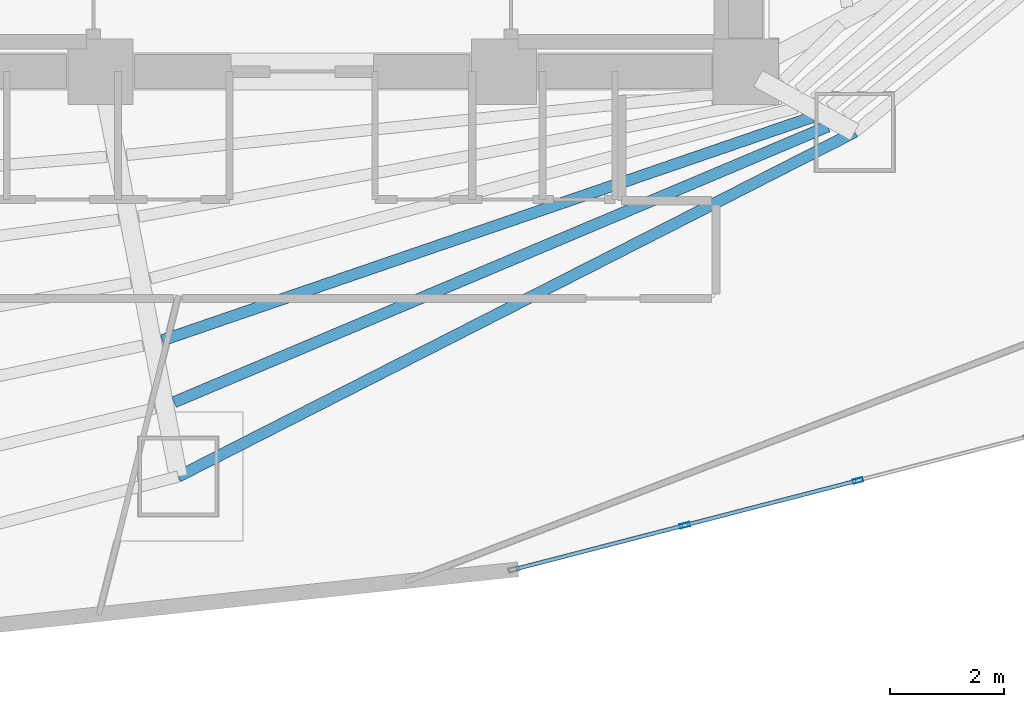
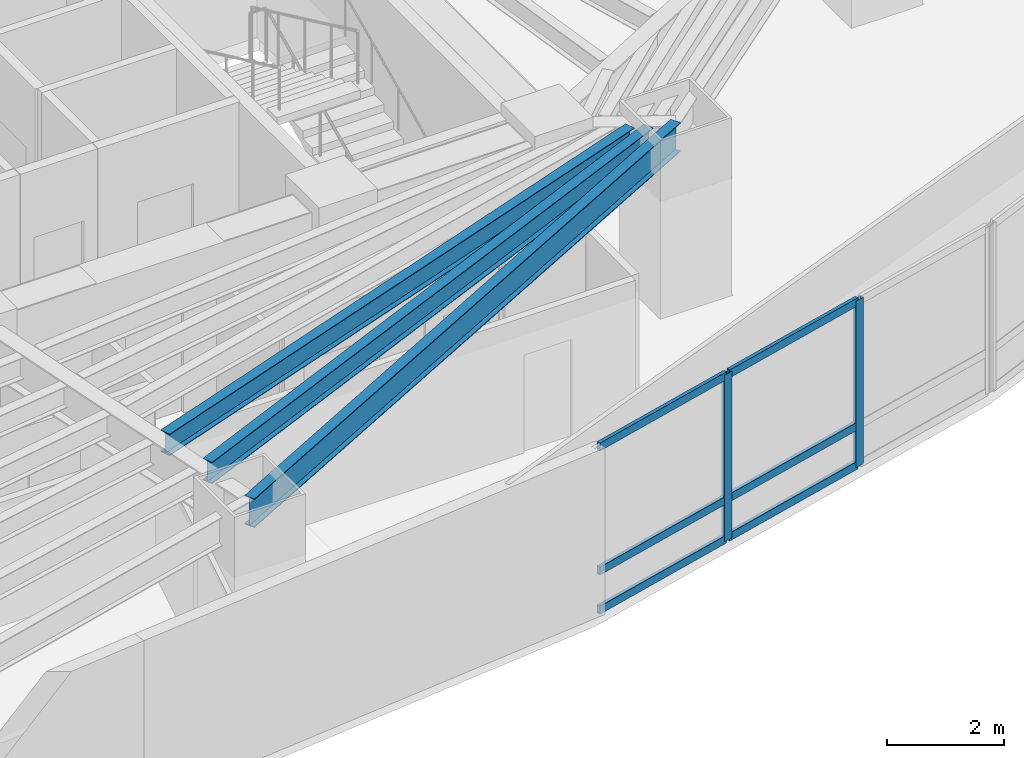
# One storey, part 5 of 20: 8 members, 3 beams, 1 element without a shape of its own.
"""IFC4 building model written with IfcOpenShell, lengths in metres."""

import ifcopenshell
import ifcopenshell.guid

model = None  # the IFC model being written
_history = None  # IfcOwnerHistory: only IFC2X3 demands one
_inside = {}  # id of a spatial element -> (the spatial element, [elements in it])
_under = {}  # id of a project, library or spatial element -> (it, [spatial elements below it])
_declared = {}  # id of a project -> (the project, [libraries it declares])
_typed = {}  # id of a type object -> (the type object, [elements of that type])
_made_of = {}  # id of a material, layer set ... -> (it, [elements and type objects made of it])


def new_model(schema):
    """Start an empty IFC model of exactly this schema.

    Asked for "IFC4X3", IfcOpenShell would pick the latest addendum, in which some entities
    have other attributes; the version numbers below select the first issue.
    IFC2X3 requires an IfcOwnerHistory on every rooted entity: one is made here for all.
    """
    global model, _history
    if schema == "IFC4X3":
        model = ifcopenshell.file(schema_version=(4, 3, 0, 0))
    else:
        model = ifcopenshell.file(schema=schema)
    _inside.clear()
    _under.clear()
    _declared.clear()
    _typed.clear()
    _made_of.clear()
    _history = None
    if model.schema == "IFC2X3":
        org = make("IfcOrganization", Name="unknown")
        user = make(
            "IfcPersonAndOrganization",
            ThePerson=make("IfcPerson", FamilyName="unknown"),
            TheOrganization=org,
        )
        app = make(
            "IfcApplication",
            ApplicationDeveloper=org,
            Version="unknown",
            ApplicationFullName="unknown",
            ApplicationIdentifier="unknown",
        )
        _history = make(
            "IfcOwnerHistory",
            OwningUser=user,
            OwningApplication=app,
            ChangeAction="ADDED",
            CreationDate=0,
        )
    return model


def make(cls, **values):
    """One entity of the class cls with the attributes given. An attribute that is None is left unset."""
    return model.create_entity(
        cls, **{name: value for name, value in values.items() if value is not None}
    )


def rooted(cls, **values):
    """An entity with a GlobalId (a new one), such as an element, a storey or a relation."""
    return make(cls, GlobalId=ifcopenshell.guid.new(), OwnerHistory=_history, **values)


def si_unit(unit_type, name, prefix=None):
    """IfcSIUnit, for example si_unit("LENGTHUNIT", "METRE", prefix="MILLI")."""
    return make("IfcSIUnit", UnitType=unit_type, Prefix=prefix, Name=name)


def assignment(units):
    """IfcUnitAssignment: the units of a project."""
    return None if units is None else make("IfcUnitAssignment", Units=units)


def point(xyz):
    """IfcCartesianPoint."""
    return None if xyz is None else make("IfcCartesianPoint", Coordinates=xyz)


def direction(xyz):
    """IfcDirection."""
    return None if xyz is None else make("IfcDirection", DirectionRatios=xyz)


def frame(location, z_axis=None, x_axis=None):
    """IfcAxis2Placement3D, a coordinate frame: its origin and axes. An axis left out is left unset."""
    return make(
        "IfcAxis2Placement3D",
        Location=point(location),
        Axis=direction(z_axis),
        RefDirection=direction(x_axis),
    )


def frame_2d(location, x_axis=None):
    """IfcAxis2Placement2D, a coordinate frame in the plane: its origin and x axis."""
    return make(
        "IfcAxis2Placement2D", Location=point(location), RefDirection=direction(x_axis)
    )


def origin():
    """The frame at (0, 0, 0) with its axes left unset."""
    return frame((0.0, 0.0, 0.0))


def origin_2d():
    """The frame at (0, 0) in the plane with its x axis left unset."""
    return frame_2d((0.0, 0.0))


def place(relative_to, where):
    """IfcLocalPlacement: puts the frame where relative to a parent placement (None: the world)."""
    return make(
        "IfcLocalPlacement", PlacementRelTo=relative_to, RelativePlacement=where
    )


def context(
    kind, dimensions, precision=None, world=None, true_north=None, identifier=None
):
    """IfcGeometricRepresentationContext, for example the 3D "Model" context."""
    return make(
        "IfcGeometricRepresentationContext",
        ContextIdentifier=identifier,
        ContextType=kind,
        CoordinateSpaceDimension=dimensions,
        Precision=precision,
        WorldCoordinateSystem=world,
        TrueNorth=true_north,
    )


def subcontext(parent, identifier, kind, view, scale=None):
    """IfcGeometricRepresentationSubContext, for example "Body" below "Model"."""
    return make(
        "IfcGeometricRepresentationSubContext",
        ContextIdentifier=identifier,
        ContextType=kind,
        ParentContext=parent,
        TargetScale=scale,
        TargetView=view,
    )


def project(units=None, contexts=None):
    """IfcProject with its units and contexts."""
    return rooted(
        "IfcProject",
        Name="project",
        RepresentationContexts=contexts,
        UnitsInContext=assignment(units),
    )


def spatial(cls, under=None, at=None, **own):
    """A site, building, storey or space (cls), placed at a placement, below another one or the project."""
    s = rooted(cls, ObjectPlacement=at, **own)
    if under is not None:
        _under.setdefault(under.id(), (under, []))[1].append(s)
    return s


def profile(cls, at=None, kind="AREA", **sizes):
    """A parametric profile (cls). Its sizes go by their IFC names, for example OverallWidth=200.0."""
    return make(cls, ProfileType=kind, Position=at, **sizes)


def hollow_rectangle(**sizes):
    """IfcRectangleHollowProfileDef."""
    return profile("IfcRectangleHollowProfileDef", **sizes)


def i_section(**sizes):
    """IfcIShapeProfileDef."""
    return profile("IfcIShapeProfileDef", **sizes)


def extrude(swept, where, along, depth):
    """IfcExtrudedAreaSolid: the profile swept, set in the frame where, extruded along a direction by depth."""
    return make(
        "IfcExtrudedAreaSolid",
        SweptArea=swept,
        Position=where,
        ExtrudedDirection=direction(along),
        Depth=depth,
    )


def shape(context_of_items, identifier, shape_type, items):
    """IfcShapeRepresentation: the items that make up one representation, for example the "Body"."""
    return make(
        "IfcShapeRepresentation",
        ContextOfItems=context_of_items,
        RepresentationIdentifier=identifier,
        RepresentationType=shape_type,
        Items=items,
    )


def material(Name=None, Category=None):
    """IfcMaterial."""
    return make("IfcMaterial", Name=Name, Category=Category)


def layer(
    of_material, thickness, ventilated=None, Name=None, Category=None, Priority=None
):
    """IfcMaterialLayer: one layer of a wall or slab, of a material (None: an air gap)."""
    return make(
        "IfcMaterialLayer",
        Material=of_material,
        LayerThickness=thickness,
        IsVentilated=ventilated,
        Name=Name,
        Category=Category,
        Priority=Priority,
    )


def layer_set(layers, Name=None):
    """IfcMaterialLayerSet."""
    return make("IfcMaterialLayerSet", MaterialLayers=layers, LayerSetName=Name)


def material_profile(
    of_material, cross_section, Name=None, Category=None, Priority=None
):
    """IfcMaterialProfile: a cross section and its material."""
    return make(
        "IfcMaterialProfile",
        Name=Name,
        Material=of_material,
        Profile=cross_section,
        Priority=Priority,
        Category=Category,
    )


def profile_set(profiles, Name=None, composite=None):
    """IfcMaterialProfileSet."""
    return make(
        "IfcMaterialProfileSet",
        Name=Name,
        MaterialProfiles=profiles,
        CompositeProfile=composite,
    )


def made_of(thing, what):
    """Note that an element or type object is made of a material, layer set ...; save() writes the relation."""
    if what is not None:
        _made_of.setdefault(what.id(), (what, []))[1].append(thing)
    return thing


def type_object(cls, material=None, **own):
    """A type object (cls), such as IfcWallType, which elements share."""
    return made_of(rooted(cls, **own), material)


def element(
    cls,
    number,
    at=None,
    inside=None,
    cuts=None,
    type_object=None,
    material=None,
    context=None,
    identifier="Body",
    shape_type=None,
    held_by="IfcProductDefinitionShape",
    body=None,
    shapes=None,
    **own,
):
    """One element of the class cls, such as IfcWall. Its Tag is "e" and its number.

    at: its placement. inside: the storey or other place that contains it. cuts: it is an
    opening in that element (IfcRelVoidsElement). A single representation is given by context,
    identifier, shape_type and body (its items); several are given by shapes. held_by: the class
    of the entity that holds the representations. save() writes the other relations.
    """
    e = rooted(cls, Tag="e%d" % number, ObjectPlacement=at, **own)
    if body is not None:
        shapes = [shape(context, identifier, shape_type, body)]
    if shapes is not None:
        e.Representation = make(held_by, Representations=shapes)
    if inside is not None:
        _inside.setdefault(inside.id(), (inside, []))[1].append(e)
    if cuts is not None:
        rooted(
            "IfcRelVoidsElement", RelatingBuildingElement=cuts, RelatedOpeningElement=e
        )
    if type_object is not None:
        _typed.setdefault(type_object.id(), (type_object, []))[1].append(e)
    return made_of(e, material)


def aggregate(whole, parts):
    """IfcRelAggregates: a whole, such as a stair, and the parts it consists of."""
    return rooted("IfcRelAggregates", RelatingObject=whole, RelatedObjects=parts)


def save(model, path):
    """Write the relations noted so far, then the file.

    IfcRelAggregates (storeys below a building ...), IfcRelContainedInSpatialStructure (elements
    in a storey), IfcRelDefinesByType, IfcRelAssociatesMaterial and IfcRelDeclares: one each for
    every whole, place, type object, material and project.
    """
    for whole, parts in _under.values():
        aggregate(whole, parts)
    for where, things in _inside.values():
        rooted(
            "IfcRelContainedInSpatialStructure",
            RelatedElements=things,
            RelatingStructure=where,
        )
    for kind, things in _typed.values():
        rooted("IfcRelDefinesByType", RelatedObjects=things, RelatingType=kind)
    for what, things in _made_of.values():
        rooted("IfcRelAssociatesMaterial", RelatedObjects=things, RelatingMaterial=what)
    for by, libraries in _declared.values():
        rooted("IfcRelDeclares", RelatingContext=by, RelatedDefinitions=libraries)
    model.write(path)


model = new_model("IFC4")

# Units and contexts
model_context = context("Model", 3, precision=1e-05, world=origin(), true_north=direction((0.0, 1.0)))
body_context = subcontext(model_context, "Body", "Model", "MODEL_VIEW")
ifc_project = project(units=[si_unit("LENGTHUNIT", "METRE"), si_unit("AREAUNIT", "SQUARE_METRE"), si_unit("VOLUMEUNIT", "CUBIC_METRE"), si_unit("PLANEANGLEUNIT", "RADIAN"), si_unit("MASSUNIT", "GRAM", prefix="KILO")], contexts=[model_context])

# Site, building, storey
site_placement = place(None, origin())
site = spatial("IfcSite", under=ifc_project, at=site_placement, CompositionType="ELEMENT")
building_placement = place(site_placement, origin())
building = spatial("IfcBuilding", under=site, at=building_placement, Name="Menara Vayukalpa", CompositionType="ELEMENT")
storey_placement = place(building_placement, frame((0.0, 0.0, 57.360107421875)))
storey = spatial("IfcBuildingStorey", under=building, at=storey_placement, Name="L13", CompositionType="ELEMENT", Elevation=57.360107421875)

# Beams
ifc_material_1 = material(Name="Steel S355", Category="steel")
ifc_material_profile_1 = material_profile(ifc_material_1, i_section(OverallWidth=0.199951171875, OverallDepth=0.449951171875, WebThickness=0.009033203125, FlangeThickness=0.013916015625, at=origin_2d()), Name="WF 450x200x9x14")
ifc_profile_set_1 = profile_set([ifc_material_profile_1], Name="Steel S355")
beam_type_1 = type_object("IfcBeamType", Name="BM-SJ1", PredefinedType="JOIST", material=ifc_profile_set_1)
beam_1_placement = place(storey_placement, frame((23.14013671875, 12.473876953125, 3.244873046875), z_axis=(0.945794261669, 0.324766400038, 0.0), x_axis=(-0.324766400038, 0.945794261669, 0.0)))
element("IfcBeam", 1, at=beam_1_placement, inside=storey, type_object=beam_type_1, Name="L13 Secondary Floor Joist SJ08-4", PredefinedType="JOIST", context=body_context, shape_type="SweptSolid", body=[
    extrude(i_section(OverallWidth=0.199951171875, OverallDepth=0.449951171875, WebThickness=0.009033203125, FlangeThickness=0.013916015625, at=origin_2d()), origin(), (0.0, 0.0, 1.0), 12.0849609375),
])
beam_2_placement = place(storey_placement, frame((23.34716796875, 11.385009765625, 3.244873046875), z_axis=(0.921359344435, 0.38871192215, 0.0), x_axis=(-0.38871192215, 0.921359344435, 0.0)))
element("IfcBeam", 2, at=beam_2_placement, inside=storey, type_object=beam_type_1, Name="L13 Secondary Floor Joist SJ08-5", PredefinedType="JOIST", context=body_context, shape_type="SweptSolid", body=[
    extrude(i_section(OverallWidth=0.199951171875, OverallDepth=0.449951171875, WebThickness=0.009033203125, FlangeThickness=0.013916015625, at=origin_2d()), origin(), (0.0, 0.0, 1.0), 12.48046875),
])
ifc_material_2 = material(Name="Steel S355", Category="steel")
ifc_material_profile_2 = material_profile(ifc_material_2, i_section(OverallWidth=0.199951171875, OverallDepth=0.60009765625, WebThickness=0.010986328125, FlangeThickness=0.01708984375, at=origin_2d()), Name="WF 600x200x11x17")
ifc_profile_set_2 = profile_set([ifc_material_profile_2], Name="Steel S355")
beam_type_2 = type_object("IfcBeamType", Name="BM-SP1", PredefinedType="SPANDREL", material=ifc_profile_set_2)
beam_3_placement = place(storey_placement, frame((23.41943359375, 10.0771484375, 3.169921875), z_axis=(0.891100743313, 0.453805536841, 0.0), x_axis=(-0.453805536841, 0.891100743313, 0.0)))
element("IfcBeam", 3, at=beam_3_placement, inside=storey, type_object=beam_type_2, Name="L13 Perimeter Spandrel Beam SP08", PredefinedType="SPANDREL", context=body_context, shape_type="SweptSolid", body=[
    extrude(i_section(OverallWidth=0.199951171875, OverallDepth=0.60009765625, WebThickness=0.010986328125, FlangeThickness=0.01708984375, at=origin_2d()), origin(), (0.0, 0.0, 1.0), 13.352783203125),
])

# Curtain wall, members
ifc_material_3 = material(Name="Anodised Terracotta Aluminium Alloy 6063-T6", Category="masonry")
ifc_layer = layer(ifc_material_3, 0.179931640625)
ifc_layer_set = layer_set([ifc_layer], Name="Anodised Terracotta Aluminium Alloy 6063-T6")
curtain_wall_type = type_object("IfcCurtainWallType", Name="CW-CW4", PredefinedType="USERDEFINED", material=ifc_layer_set)
curtain_wall_placement = place(storey_placement, origin())
curtain_wall = element("IfcCurtainWall", 4, at=curtain_wall_placement, inside=storey, type_object=curtain_wall_type, Name="L13 Sky Bar Cantilever Glazed Curtain Wall CW4 16", ObjectType="UNITISED", PredefinedType="USERDEFINED")
ifc_material_4 = material(Name="Anodised Terracotta Aluminium Alloy 6063-T6", Category="masonry")
ifc_material_profile_3 = material_profile(ifc_material_4, hollow_rectangle(XDim=0.074951171875, YDim=0.179931640625, WallThickness=0.00390625, at=origin_2d()), Name="ALU 75x180x4")
ifc_profile_set_3 = profile_set([ifc_material_profile_3], Name="Anodised Terracotta Aluminium Alloy 6063-T6")
member_type_1 = type_object("IfcMemberType", Name="CWM-CW4", PredefinedType="MULLION", material=ifc_profile_set_3)
member_1_placement = place(storey_placement, frame((32.332275390625, 9.219482421875, 0.0), z_axis=(0.0, 0.0, 1.0), x_axis=(-0.25040286747, 0.968141727209, 0.0)))
member_1 = element("IfcMember", 5, at=member_1_placement, type_object=member_type_1, Name="CW4 mullion 2", PredefinedType="MULLION", context=body_context, shape_type="SweptSolid", body=[
    extrude(hollow_rectangle(XDim=0.074951171875, YDim=0.179931640625, WallThickness=0.00390625, at=origin_2d()), origin(), (0.0, 0.0, 1.0), 3.469970703125),
])
member_2_placement = place(storey_placement, frame((35.376220703125, 10.006591796875, 0.0), z_axis=(0.0, 0.0, 1.0), x_axis=(-0.25040286747, 0.968141727209, 0.0)))
member_2 = element("IfcMember", 6, at=member_2_placement, type_object=member_type_1, Name="CW4 mullion 3", PredefinedType="MULLION", context=body_context, shape_type="SweptSolid", body=[
    extrude(hollow_rectangle(XDim=0.074951171875, YDim=0.179931640625, WallThickness=0.00390625, at=origin_2d()), origin(), (0.0, 0.0, 1.0), 3.469970703125),
])
ifc_material_5 = material(Name="Anodised Terracotta Aluminium Alloy 6063-T6", Category="masonry")
ifc_material_profile_4 = material_profile(ifc_material_5, hollow_rectangle(XDim=0.070068359375, YDim=0.1650390625, WallThickness=0.00390625, at=origin_2d()), Name="ALU 70x165x4")
ifc_profile_set_4 = profile_set([ifc_material_profile_4], Name="Anodised Terracotta Aluminium Alloy 6063-T6")
member_type_2 = type_object("IfcMemberType", Name="CWT-CW4", PredefinedType="USERDEFINED", material=ifc_profile_set_4)
member_3_placement = place(storey_placement, frame((29.36083984375, 8.450927734375, 0.034912109375), z_axis=(0.968149604166, 0.250372410527, 0.0), x_axis=(-0.250372410527, 0.968149604166, 0.0)))
member_3 = element("IfcMember", 7, at=member_3_placement, type_object=member_type_2, Name="CW4 transom 1.1", ObjectType="TRANSOM", PredefinedType="USERDEFINED", context=body_context, shape_type="SweptSolid", body=[
    extrude(hollow_rectangle(XDim=0.070068359375, YDim=0.1650390625, WallThickness=0.00390625, at=origin_2d()), origin(), (0.0, 0.0, 1.0), 3.03173828125),
])
member_4_placement = place(storey_placement, frame((29.36083984375, 8.450927734375, 0.849853515625), z_axis=(0.968149604166, 0.250372410527, 0.0), x_axis=(-0.250372410527, 0.968149604166, 0.0)))
member_4 = element("IfcMember", 8, at=member_4_placement, type_object=member_type_2, Name="CW4 transom 1.2", ObjectType="TRANSOM", PredefinedType="USERDEFINED", context=body_context, shape_type="SweptSolid", body=[
    extrude(hollow_rectangle(XDim=0.070068359375, YDim=0.1650390625, WallThickness=0.00390625, at=origin_2d()), origin(), (0.0, 0.0, 1.0), 3.03173828125),
])
member_5_placement = place(storey_placement, frame((29.36083984375, 8.450927734375, 3.434814453125), z_axis=(0.968149604166, 0.250372410527, 0.0), x_axis=(-0.250372410527, 0.968149604166, 0.0)))
member_5 = element("IfcMember", 9, at=member_5_placement, type_object=member_type_2, Name="CW4 transom 1.3", ObjectType="TRANSOM", PredefinedType="USERDEFINED", context=body_context, shape_type="SweptSolid", body=[
    extrude(hollow_rectangle(XDim=0.070068359375, YDim=0.1650390625, WallThickness=0.00390625, at=origin_2d()), origin(), (0.0, 0.0, 1.0), 3.03173828125),
])
member_6_placement = place(storey_placement, frame((32.368408203125, 9.228759765625, 0.034912109375), z_axis=(0.968140594701, 0.250407246086, 0.0), x_axis=(-0.250407246086, 0.968140594701, 0.0)))
member_6 = element("IfcMember", 10, at=member_6_placement, type_object=member_type_2, Name="CW4 transom 2.1", ObjectType="TRANSOM", PredefinedType="USERDEFINED", context=body_context, shape_type="SweptSolid", body=[
    extrude(hollow_rectangle(XDim=0.070068359375, YDim=0.1650390625, WallThickness=0.00390625, at=origin_2d()), origin(), (0.0, 0.0, 1.0), 3.0693359375),
])
member_7_placement = place(storey_placement, frame((32.368408203125, 9.228759765625, 0.849853515625), z_axis=(0.968140594701, 0.250407246086, 0.0), x_axis=(-0.250407246086, 0.968140594701, 0.0)))
member_7 = element("IfcMember", 11, at=member_7_placement, type_object=member_type_2, Name="CW4 transom 2.2", ObjectType="TRANSOM", PredefinedType="USERDEFINED", context=body_context, shape_type="SweptSolid", body=[
    extrude(hollow_rectangle(XDim=0.070068359375, YDim=0.1650390625, WallThickness=0.00390625, at=origin_2d()), origin(), (0.0, 0.0, 1.0), 3.0693359375),
])
member_8_placement = place(storey_placement, frame((32.368408203125, 9.228759765625, 3.434814453125), z_axis=(0.968140594701, 0.250407246086, 0.0), x_axis=(-0.250407246086, 0.968140594701, 0.0)))
member_8 = element("IfcMember", 12, at=member_8_placement, type_object=member_type_2, Name="CW4 transom 2.3", ObjectType="TRANSOM", PredefinedType="USERDEFINED", context=body_context, shape_type="SweptSolid", body=[
    extrude(hollow_rectangle(XDim=0.070068359375, YDim=0.1650390625, WallThickness=0.00390625, at=origin_2d()), origin(), (0.0, 0.0, 1.0), 3.0693359375),
])
aggregate(curtain_wall, [member_1, member_2, member_3, member_4, member_5, member_6, member_7, member_8])

save(model, "model.ifc")
